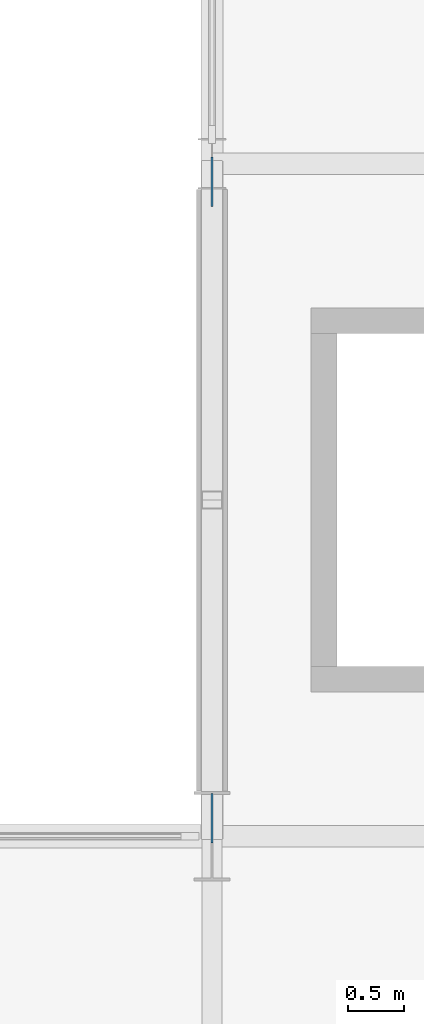
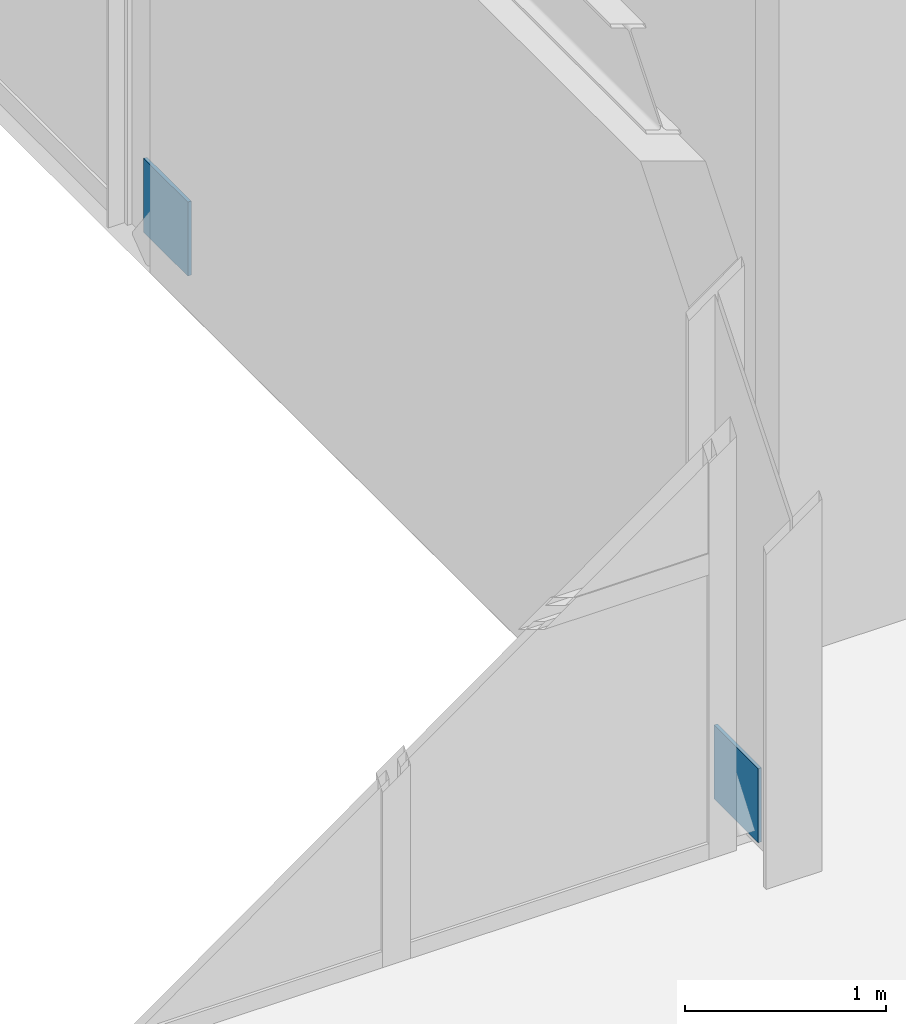
# One storey, part 71 of 84: 2 discrete accessories.
"""IFC4 building model written with IfcOpenShell, lengths in metres."""

from ifc_helpers import new_model, si_unit, direction, frame, origin, origin_2d, place, context, subcontext, project, spatial, rectangle, extrude, material, layer, layer_set, type_object, element, save


model = new_model("IFC4")

# Units and contexts
model_context = context("Model", 3, precision=1e-05, world=origin(), true_north=direction((0.0, 1.0)))
body_context = subcontext(model_context, "Body", "Model", "MODEL_VIEW")
ifc_project = project(units=[si_unit("LENGTHUNIT", "METRE"), si_unit("AREAUNIT", "SQUARE_METRE"), si_unit("VOLUMEUNIT", "CUBIC_METRE"), si_unit("PLANEANGLEUNIT", "RADIAN"), si_unit("MASSUNIT", "GRAM", prefix="KILO")], contexts=[model_context])

# Site, building, storey
site_placement = place(None, origin())
site = spatial("IfcSite", under=ifc_project, at=site_placement, CompositionType="ELEMENT")
building_placement = place(site_placement, origin())
building = spatial("IfcBuilding", under=site, at=building_placement, Name="Varnakota Square Police Headquarters", CompositionType="ELEMENT")
storey_placement = place(building_placement, frame((0.0, 0.0, 13.5)))
storey = spatial("IfcBuildingStorey", under=building, at=storey_placement, Name="L03", CompositionType="ELEMENT", Elevation=13.5)

# Discrete accessories
ifc_material = material(Name="Steel IS 2062 Grade 350", Category="steel")
ifc_layer = layer(ifc_material, 0.64990234375, Name="Steel IS 2062 Grade 350")
ifc_layer_set = layer_set([ifc_layer], Name="Steel IS 2062 Grade 350")
discrete_accessory_type = type_object("IfcDiscreteAccessoryType", Name="ACC-EMB-350", PredefinedType="BRACKET", material=ifc_layer_set)
for number, where, z_axis, x_axis, name in (
    (1, (138.0, 15.159912109375, 0.02490234375), (0.0, 0.0, 1.0), (0.0, 1.0, 0.0), "Brace gusset connection plate BF2 L03 L"),
    (2, (138.0, 20.840087890625, 0.02490234375), (0.0, 0.0, 1.0), (0.0, 1.0, 0.0), "Brace gusset connection plate BF2 L03 R"),
):
    element("IfcDiscreteAccessory", number, at=place(storey_placement, frame(where, z_axis=z_axis, x_axis=x_axis)), inside=storey, type_object=discrete_accessory_type, Name=name, PredefinedType="BRACKET", context=body_context, shape_type="SweptSolid", body=[
        extrude(rectangle(XDim=0.43994140625, YDim=0.02001953125, at=origin_2d()), origin(), (0.0, 0.0, 1.0), 0.449951171875),
    ])

save(model, "model.ifc")
